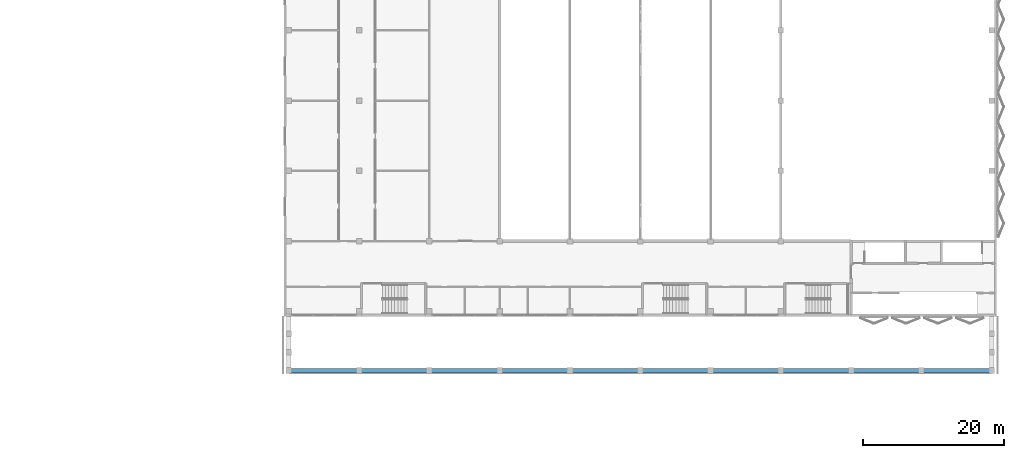
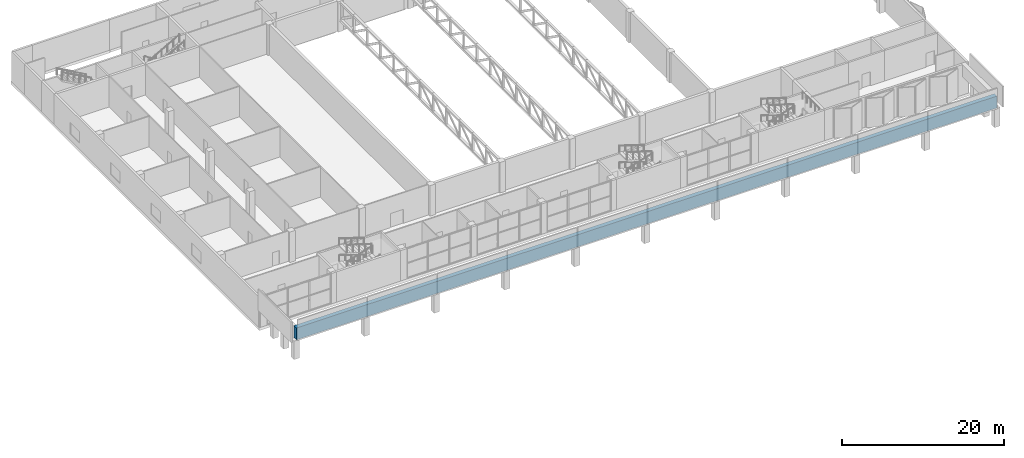
# One storey, part 3 of 36: 1 beam.
"""IFC4 building model written with IfcOpenShell, lengths in metres."""

from ifc_helpers import new_model, si_unit, direction, frame, origin, origin_2d, place, context, subcontext, project, spatial, rectangle, extrude, material, material_profile, profile_set, type_object, element, save


model = new_model("IFC4")

# Units and contexts
model_context = context("Model", 3, precision=1e-05, world=origin(), true_north=direction((0.0, 1.0)))
body_context = subcontext(model_context, "Body", "Model", "MODEL_VIEW")
ifc_project = project(units=[si_unit("LENGTHUNIT", "METRE"), si_unit("AREAUNIT", "SQUARE_METRE"), si_unit("VOLUMEUNIT", "CUBIC_METRE"), si_unit("PLANEANGLEUNIT", "RADIAN"), si_unit("MASSUNIT", "GRAM", prefix="KILO")], contexts=[model_context])

# Site, building, storey
site_placement = place(None, origin())
site = spatial("IfcSite", under=ifc_project, at=site_placement, CompositionType="ELEMENT")
building_placement = place(site_placement, origin())
building = spatial("IfcBuilding", under=site, at=building_placement, Name="Jabali Bay Hotel Tower and Convention Centre", CompositionType="ELEMENT")
storey_placement = place(building_placement, frame((0.0, 0.0, 20.39990234375)))
storey = spatial("IfcBuildingStorey", under=building, at=storey_placement, Name="L03", CompositionType="ELEMENT", Elevation=20.39990234375)

# Beam
ifc_material = material(Name="Concrete C40", Category="concrete")
ifc_material_profile = material_profile(ifc_material, rectangle(XDim=0.60009765625, YDim=1.800048828125, at=origin_2d()), Name="RC 600x1800")
ifc_profile_set = profile_set([ifc_material_profile], Name="Concrete C40")
beam_type = type_object("IfcBeamType", Name="CC South Fascia Beam 600x1800", PredefinedType="BEAM", material=ifc_profile_set)
beam_placement = place(storey_placement, frame((150.699951171875, 41.60009765625, 3.690185546875), z_axis=(1.0, 0.0, 0.0), x_axis=(0.0, 1.0, 0.0)))
element("IfcBeam", 1, at=beam_placement, inside=storey, type_object=beam_type, Name="CC south roof fascia beam", PredefinedType="BEAM", context=body_context, shape_type="SweptSolid", body=[
    extrude(rectangle(XDim=0.60009765625, YDim=1.800048828125, at=origin_2d()), origin(), (0.0, 0.0, 1.0), 100.0),
])

save(model, "model.ifc")
